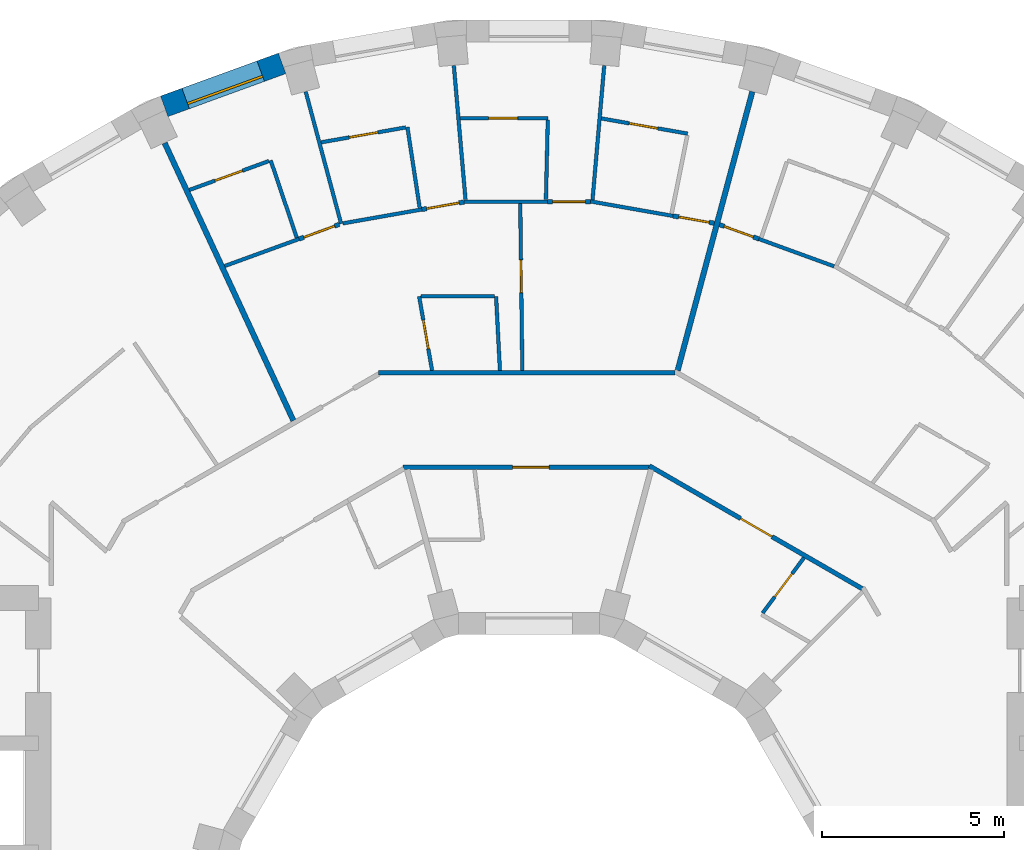
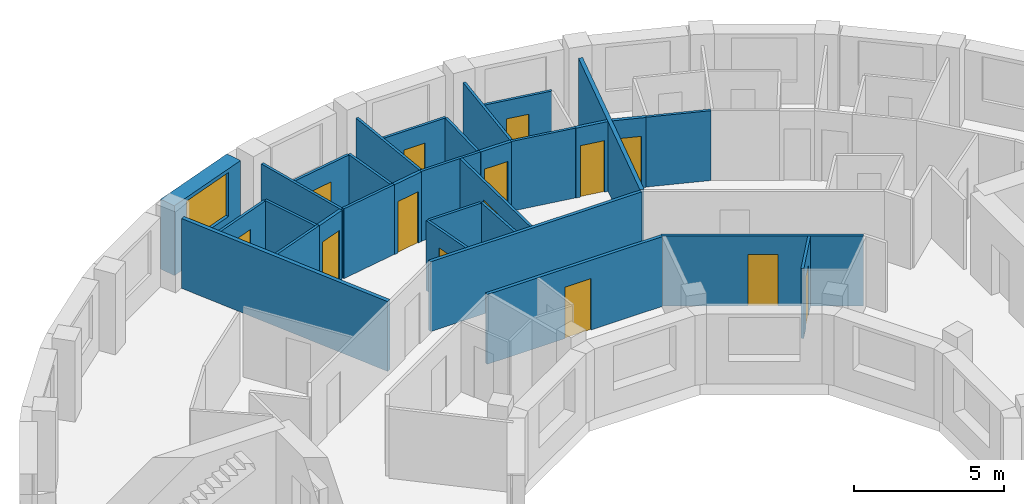
# One storey, part 11 of 14: 31 walls, 14 doors, 1 window, 15 openings.
"""IFC4 building model written with IfcOpenShell, lengths in metres."""

import ifcopenshell
import ifcopenshell.guid

model = None  # the IFC model being written
_history = None  # IfcOwnerHistory: only IFC2X3 demands one
_inside = {}  # id of a spatial element -> (the spatial element, [elements in it])
_under = {}  # id of a project, library or spatial element -> (it, [spatial elements below it])
_declared = {}  # id of a project -> (the project, [libraries it declares])
_typed = {}  # id of a type object -> (the type object, [elements of that type])
_made_of = {}  # id of a material, layer set ... -> (it, [elements and type objects made of it])


def new_model(schema):
    """Start an empty IFC model of exactly this schema.

    Asked for "IFC4X3", IfcOpenShell would pick the latest addendum, in which some entities
    have other attributes; the version numbers below select the first issue.
    IFC2X3 requires an IfcOwnerHistory on every rooted entity: one is made here for all.
    """
    global model, _history
    if schema == "IFC4X3":
        model = ifcopenshell.file(schema_version=(4, 3, 0, 0))
    else:
        model = ifcopenshell.file(schema=schema)
    _inside.clear()
    _under.clear()
    _declared.clear()
    _typed.clear()
    _made_of.clear()
    _history = None
    if model.schema == "IFC2X3":
        org = make("IfcOrganization", Name="unknown")
        user = make(
            "IfcPersonAndOrganization",
            ThePerson=make("IfcPerson", FamilyName="unknown"),
            TheOrganization=org,
        )
        app = make(
            "IfcApplication",
            ApplicationDeveloper=org,
            Version="unknown",
            ApplicationFullName="unknown",
            ApplicationIdentifier="unknown",
        )
        _history = make(
            "IfcOwnerHistory",
            OwningUser=user,
            OwningApplication=app,
            ChangeAction="ADDED",
            CreationDate=0,
        )
    return model


def make(cls, **values):
    """One entity of the class cls with the attributes given. An attribute that is None is left unset."""
    return model.create_entity(
        cls, **{name: value for name, value in values.items() if value is not None}
    )


def rooted(cls, **values):
    """An entity with a GlobalId (a new one), such as an element, a storey or a relation."""
    return make(cls, GlobalId=ifcopenshell.guid.new(), OwnerHistory=_history, **values)


def si_unit(unit_type, name, prefix=None):
    """IfcSIUnit, for example si_unit("LENGTHUNIT", "METRE", prefix="MILLI")."""
    return make("IfcSIUnit", UnitType=unit_type, Prefix=prefix, Name=name)


def assignment(units):
    """IfcUnitAssignment: the units of a project."""
    return None if units is None else make("IfcUnitAssignment", Units=units)


def point(xyz):
    """IfcCartesianPoint."""
    return None if xyz is None else make("IfcCartesianPoint", Coordinates=xyz)


def direction(xyz):
    """IfcDirection."""
    return None if xyz is None else make("IfcDirection", DirectionRatios=xyz)


def frame(location, z_axis=None, x_axis=None):
    """IfcAxis2Placement3D, a coordinate frame: its origin and axes. An axis left out is left unset."""
    return make(
        "IfcAxis2Placement3D",
        Location=point(location),
        Axis=direction(z_axis),
        RefDirection=direction(x_axis),
    )


def frame_2d(location, x_axis=None):
    """IfcAxis2Placement2D, a coordinate frame in the plane: its origin and x axis."""
    return make(
        "IfcAxis2Placement2D", Location=point(location), RefDirection=direction(x_axis)
    )


def origin():
    """The frame at (0, 0, 0) with its axes left unset."""
    return frame((0.0, 0.0, 0.0))


def place(relative_to, where):
    """IfcLocalPlacement: puts the frame where relative to a parent placement (None: the world)."""
    return make(
        "IfcLocalPlacement", PlacementRelTo=relative_to, RelativePlacement=where
    )


def context(
    kind, dimensions, precision=None, world=None, true_north=None, identifier=None
):
    """IfcGeometricRepresentationContext, for example the 3D "Model" context."""
    return make(
        "IfcGeometricRepresentationContext",
        ContextIdentifier=identifier,
        ContextType=kind,
        CoordinateSpaceDimension=dimensions,
        Precision=precision,
        WorldCoordinateSystem=world,
        TrueNorth=true_north,
    )


def subcontext(parent, identifier, kind, view, scale=None):
    """IfcGeometricRepresentationSubContext, for example "Body" below "Model"."""
    return make(
        "IfcGeometricRepresentationSubContext",
        ContextIdentifier=identifier,
        ContextType=kind,
        ParentContext=parent,
        TargetScale=scale,
        TargetView=view,
    )


def project(units=None, contexts=None):
    """IfcProject with its units and contexts."""
    return rooted(
        "IfcProject",
        Name="project",
        RepresentationContexts=contexts,
        UnitsInContext=assignment(units),
    )


def spatial(cls, under=None, at=None, **own):
    """A site, building, storey or space (cls), placed at a placement, below another one or the project."""
    s = rooted(cls, ObjectPlacement=at, **own)
    if under is not None:
        _under.setdefault(under.id(), (under, []))[1].append(s)
    return s


def profile(cls, at=None, kind="AREA", **sizes):
    """A parametric profile (cls). Its sizes go by their IFC names, for example OverallWidth=200.0."""
    return make(cls, ProfileType=kind, Position=at, **sizes)


def rectangle(**sizes):
    """IfcRectangleProfileDef."""
    return profile("IfcRectangleProfileDef", **sizes)


def extrude(swept, where, along, depth):
    """IfcExtrudedAreaSolid: the profile swept, set in the frame where, extruded along a direction by depth."""
    return make(
        "IfcExtrudedAreaSolid",
        SweptArea=swept,
        Position=where,
        ExtrudedDirection=direction(along),
        Depth=depth,
    )


def shape(context_of_items, identifier, shape_type, items):
    """IfcShapeRepresentation: the items that make up one representation, for example the "Body"."""
    return make(
        "IfcShapeRepresentation",
        ContextOfItems=context_of_items,
        RepresentationIdentifier=identifier,
        RepresentationType=shape_type,
        Items=items,
    )


def material(Name=None, Category=None):
    """IfcMaterial."""
    return make("IfcMaterial", Name=Name, Category=Category)


def layer(
    of_material, thickness, ventilated=None, Name=None, Category=None, Priority=None
):
    """IfcMaterialLayer: one layer of a wall or slab, of a material (None: an air gap)."""
    return make(
        "IfcMaterialLayer",
        Material=of_material,
        LayerThickness=thickness,
        IsVentilated=ventilated,
        Name=Name,
        Category=Category,
        Priority=Priority,
    )


def layer_set(layers, Name=None):
    """IfcMaterialLayerSet."""
    return make("IfcMaterialLayerSet", MaterialLayers=layers, LayerSetName=Name)


def made_of(thing, what):
    """Note that an element or type object is made of a material, layer set ...; save() writes the relation."""
    if what is not None:
        _made_of.setdefault(what.id(), (what, []))[1].append(thing)
    return thing


def type_object(cls, material=None, **own):
    """A type object (cls), such as IfcWallType, which elements share."""
    return made_of(rooted(cls, **own), material)


def element(
    cls,
    number,
    at=None,
    inside=None,
    cuts=None,
    type_object=None,
    material=None,
    context=None,
    identifier="Body",
    shape_type=None,
    held_by="IfcProductDefinitionShape",
    body=None,
    shapes=None,
    **own,
):
    """One element of the class cls, such as IfcWall. Its Tag is "e" and its number.

    at: its placement. inside: the storey or other place that contains it. cuts: it is an
    opening in that element (IfcRelVoidsElement). A single representation is given by context,
    identifier, shape_type and body (its items); several are given by shapes. held_by: the class
    of the entity that holds the representations. save() writes the other relations.
    """
    e = rooted(cls, Tag="e%d" % number, ObjectPlacement=at, **own)
    if body is not None:
        shapes = [shape(context, identifier, shape_type, body)]
    if shapes is not None:
        e.Representation = make(held_by, Representations=shapes)
    if inside is not None:
        _inside.setdefault(inside.id(), (inside, []))[1].append(e)
    if cuts is not None:
        rooted(
            "IfcRelVoidsElement", RelatingBuildingElement=cuts, RelatedOpeningElement=e
        )
    if type_object is not None:
        _typed.setdefault(type_object.id(), (type_object, []))[1].append(e)
    return made_of(e, material)


def fill(opening, filler):
    """IfcRelFillsElement: the door or window that sits in an opening."""
    return rooted(
        "IfcRelFillsElement",
        RelatingOpeningElement=opening,
        RelatedBuildingElement=filler,
    )


def aggregate(whole, parts):
    """IfcRelAggregates: a whole, such as a stair, and the parts it consists of."""
    return rooted("IfcRelAggregates", RelatingObject=whole, RelatedObjects=parts)


def save(model, path):
    """Write the relations noted so far, then the file.

    IfcRelAggregates (storeys below a building ...), IfcRelContainedInSpatialStructure (elements
    in a storey), IfcRelDefinesByType, IfcRelAssociatesMaterial and IfcRelDeclares: one each for
    every whole, place, type object, material and project.
    """
    for whole, parts in _under.values():
        aggregate(whole, parts)
    for where, things in _inside.values():
        rooted(
            "IfcRelContainedInSpatialStructure",
            RelatedElements=things,
            RelatingStructure=where,
        )
    for kind, things in _typed.values():
        rooted("IfcRelDefinesByType", RelatedObjects=things, RelatingType=kind)
    for what, things in _made_of.values():
        rooted("IfcRelAssociatesMaterial", RelatedObjects=things, RelatingMaterial=what)
    for by, libraries in _declared.values():
        rooted("IfcRelDeclares", RelatingContext=by, RelatedDefinitions=libraries)
    model.write(path)


model = new_model("IFC4")

# Units and contexts
model_context = context("Model", 3, precision=1e-05, world=origin(), true_north=direction((0.0, 1.0)))
body_context = subcontext(model_context, "Body", "Model", "MODEL_VIEW")
ifc_project = project(units=[si_unit("LENGTHUNIT", "METRE"), si_unit("AREAUNIT", "SQUARE_METRE"), si_unit("VOLUMEUNIT", "CUBIC_METRE"), si_unit("PLANEANGLEUNIT", "RADIAN"), si_unit("MASSUNIT", "GRAM", prefix="KILO")], contexts=[model_context])

# Site, building, storey
site_placement = place(None, origin())
site = spatial("IfcSite", under=ifc_project, at=site_placement, CompositionType="ELEMENT")
building_placement = place(site_placement, origin())
building = spatial("IfcBuilding", under=site, at=building_placement, Name="Saqina Gate Tower", CompositionType="ELEMENT")
storey_placement = place(building_placement, frame((0.0, 0.0, 174.0)))
storey = spatial("IfcBuildingStorey", under=building, at=storey_placement, Name="L49", CompositionType="ELEMENT", Elevation=174.0)

# Wall, opening, window
ifc_material_1 = material(Name="Brick masonry (buff)", Category="masonry")
ifc_layer_1 = layer(ifc_material_1, 0.60009765625)
ifc_layer_set_1 = layer_set([ifc_layer_1], Name="FW-BRICK-BUFF")
wall_type_1 = type_object("IfcWallType", Name="FW-BRICK-BUFF", PredefinedType="SOLIDWALL", material=ifc_layer_set_1)
wall_1_placement = place(storey_placement, frame((-6.79443359375, 23.7109375, 0.0), z_axis=(0.0, 0.0, 1.0), x_axis=(-0.93968799822, -0.342032843455, 0.0)))
wall_1 = element("IfcWall", 1, at=wall_1_placement, inside=storey, type_object=wall_type_1, Name="Facade wall L49 facet 11", PredefinedType="SOLIDWALL", context=body_context, shape_type="SweptSolid", body=[
    extrude(rectangle(XDim=3.44970703125, YDim=0.60009765625, at=frame_2d((1.724853515625, 0.0))), origin(), (0.0, 0.0, 1.0), 2.85009765625),
])
opening_1_placement = place(wall_1_placement, frame((0.625, 0.0, 0.89990234375)))
opening_1 = element("IfcOpeningElement", 2, at=opening_1_placement, cuts=wall_1, Name="Opening G14-W09", PredefinedType="OPENING", context=body_context, shape_type="SweptSolid", body=[
    extrude(rectangle(XDim=2.199951171875, YDim=1.800048828125, at=frame_2d((1.10009765625, 0.89990234375))), frame((0.0, 0.31201171875, 0.0), z_axis=(0.0, -1.0, 0.0), x_axis=(1.0, 0.0, 0.0)), (0.0, 0.0, 1.0), 0.6240234375),
])
ifc_material_2 = material(Name="Aluminium glazing", Category="aluminium")
window_type = type_object("IfcWindowType", Name="WN-C", PartitioningType="SINGLE_PANEL", PredefinedType="WINDOW", material=ifc_material_2)
window_placement = place(opening_1_placement, origin())
window = element("IfcWindow", 3, at=window_placement, inside=storey, type_object=window_type, Name="Window L49 facet 11", OverallHeight=1.800048828125, OverallWidth=2.199951171875, PartitioningType="SINGLE_PANEL", PredefinedType="WINDOW", context=body_context, shape_type="SweptSolid", body=[
    extrude(rectangle(XDim=2.199951171875, YDim=1.800048828125, at=frame_2d((1.10009765625, 0.89990234375))), frame((0.0, 0.179931640625, 0.0), z_axis=(0.0, -1.0, 0.0), x_axis=(1.0, 0.0, 0.0)), (0.0, 0.0, 1.0), 0.06005859375),
])
fill(opening_1, window)

# Wall, opening, door
ifc_material_3 = material(Name="Gypsum board on steel studs, 100 mm", Category="steel")
ifc_layer_2 = layer(ifc_material_3, 0.10009765625)
ifc_layer_set_2 = layer_set([ifc_layer_2], Name="PARTITION 100")
wall_type_2 = type_object("IfcWallType", Name="PARTITION 100", PredefinedType="PARTITIONING", material=ifc_layer_set_2)
wall_2_placement = place(storey_placement, frame((-0.241455078125, 19.85498046875, 0.0), z_axis=(0.0, 0.0, 1.0), x_axis=(0.012332271409, -0.999923954649, 0.0)))
wall_2 = element("IfcWall", 4, at=wall_2_placement, inside=storey, type_object=wall_type_2, Name="PARTITION PW3-01", PredefinedType="PARTITIONING", context=body_context, shape_type="SweptSolid", body=[
    extrude(rectangle(XDim=4.5927734375, YDim=0.10009765625, at=frame_2d((2.29638671875, 0.0))), origin(), (0.0, 0.0, 1.0), 2.85009765625),
])
opening_2_placement = place(wall_2_placement, frame((1.552734375, 0.0, 0.0)))
opening_2 = element("IfcOpeningElement", 5, at=opening_2_placement, cuts=wall_2, Name="Opening G14-D18", PredefinedType="OPENING", context=body_context, shape_type="SweptSolid", body=[
    extrude(rectangle(XDim=0.89990234375, YDim=2.10009765625, at=frame_2d((0.449951171875, 1.050048828125))), frame((0.0, 0.06201171875, 0.0), z_axis=(0.0, -1.0, 0.0), x_axis=(1.0, 0.0, 0.0)), (0.0, 0.0, 1.0), 0.1240234375),
])
ifc_material_4 = material(Name="Timber door leaf, 900 mm", Category="wood")
door_type_1 = type_object("IfcDoorType", Name="DOOR 900 TIMBER", OperationType="SINGLE_SWING_LEFT", PredefinedType="DOOR", material=ifc_material_4)
door_1_placement = place(opening_2_placement, frame((0.89990234375, 0.0, 0.0), z_axis=(0.0, 0.0, 1.0), x_axis=(-1.0, 0.0, 0.0)))
door_1 = element("IfcDoor", 6, at=door_1_placement, inside=storey, type_object=door_type_1, Name="DOOR G14-D18", OperationType="SINGLE_SWING_LEFT", OverallHeight=2.10009765625, OverallWidth=0.89990234375, PredefinedType="DOOR", context=body_context, shape_type="SweptSolid", body=[
    extrude(rectangle(XDim=0.89990234375, YDim=2.10009765625, at=frame_2d((0.449951171875, 1.050048828125))), frame((0.0, 0.02490234375, 0.0), z_axis=(0.0, -1.0, 0.0), x_axis=(1.0, 0.0, 0.0)), (0.0, 0.0, 1.0), 0.050048828125),
])
fill(opening_2, door_1)

# Walls
wall_3_placement = place(storey_placement, frame((-0.906982421875, 17.300048828125, 0.0), z_axis=(0.0, 0.0, 1.0), x_axis=(0.052288783436, -0.998632005859, 0.0)))
element("IfcWall", 7, at=wall_3_placement, inside=storey, type_object=wall_type_2, Name="PARTITION PW3-03", PredefinedType="PARTITIONING", context=body_context, shape_type="SweptSolid", body=[
    extrude(rectangle(XDim=2.040283203125, YDim=0.10009765625, at=frame_2d((1.02001953125, 0.0))), origin(), (0.0, 0.0, 1.0), 2.85009765625),
])
wall_4_placement = place(storey_placement, frame((-2.06884765625, 23.649658203125, 0.0), z_axis=(0.0, 0.0, 1.0), x_axis=(0.086783514493, -0.996227193773, 0.0)))
element("IfcWall", 8, at=wall_4_placement, inside=storey, type_object=wall_type_2, Name="PARTITION PW3-04", PredefinedType="PARTITIONING", context=body_context, shape_type="SweptSolid", body=[
    extrude(rectangle(XDim=3.696533203125, YDim=0.10009765625, at=frame_2d((1.84814453125, 0.0))), origin(), (0.0, 0.0, 1.0), 2.85009765625),
])
wall_5_placement = place(storey_placement, frame((-3.346923828125, 21.95703125, 0.0), z_axis=(0.0, 0.0, 1.0), x_axis=(0.150778111259, -0.988567631053, 0.0)))
element("IfcWall", 9, at=wall_5_placement, inside=storey, type_object=wall_type_2, Name="PARTITION PW3-08", PredefinedType="PARTITIONING", context=body_context, shape_type="SweptSolid", body=[
    extrude(rectangle(XDim=2.23779296875, YDim=0.10009765625, at=frame_2d((1.118896484375, 0.0))), origin(), (0.0, 0.0, 1.0), 2.85009765625),
])

# Wall, opening, door
wall_6_placement = place(storey_placement, frame((-3.02392578125, 17.300048828125, 0.0), z_axis=(0.0, 0.0, 1.0), x_axis=(0.172122773882, -0.985075505081, 0.0)))
wall_6 = element("IfcWall", 10, at=wall_6_placement, inside=storey, type_object=wall_type_2, Name="PARTITION PW3-10", PredefinedType="PARTITIONING", context=body_context, shape_type="SweptSolid", body=[
    extrude(rectangle(XDim=2.069580078125, YDim=0.10009765625, at=frame_2d((1.03466796875, 0.0))), origin(), (0.0, 0.0, 1.0), 2.85009765625),
])
opening_3_placement = place(wall_6_placement, frame((0.666015625, 0.0, 0.0)))
opening_3 = element("IfcOpeningElement", 11, at=opening_3_placement, cuts=wall_6, Name="Opening G14-D22", PredefinedType="OPENING", context=body_context, shape_type="SweptSolid", body=[
    extrude(rectangle(XDim=0.800048828125, YDim=2.10009765625, at=frame_2d((0.39990234375, 1.050048828125))), frame((0.0, 0.06201171875, 0.0), z_axis=(0.0, -1.0, 0.0), x_axis=(1.0, 0.0, 0.0)), (0.0, 0.0, 1.0), 0.1240234375),
])
ifc_material_5 = material(Name="Timber door leaf, 800 mm", Category="wood")
door_type_2 = type_object("IfcDoorType", Name="DOOR 800 TIMBER", OperationType="SINGLE_SWING_LEFT", PredefinedType="DOOR", material=ifc_material_5)
door_2_placement = place(opening_3_placement, frame((0.800048828125, 0.0, 0.0), z_axis=(0.0, 0.0, 1.0), x_axis=(-1.0, 0.0, 0.0)))
door_2 = element("IfcDoor", 12, at=door_2_placement, inside=storey, type_object=door_type_2, Name="DOOR G14-D22", OperationType="SINGLE_SWING_LEFT", OverallHeight=2.10009765625, OverallWidth=0.800048828125, PredefinedType="DOOR", context=body_context, shape_type="SweptSolid", body=[
    extrude(rectangle(XDim=0.800048828125, YDim=2.10009765625, at=frame_2d((0.39990234375, 1.050048828125))), frame((0.0, 0.02490234375, 0.0), z_axis=(0.0, -1.0, 0.0), x_axis=(1.0, 0.0, 0.0)), (0.0, 0.0, 1.0), 0.050048828125),
])
fill(opening_3, door_2)

# Walls
wall_7_placement = place(storey_placement, frame((-6.144775390625, 22.930908203125, 0.0), z_axis=(0.0, 0.0, 1.0), x_axis=(0.259065026248, -0.965859882268, 0.0)))
element("IfcWall", 13, at=wall_7_placement, inside=storey, type_object=wall_type_2, Name="PARTITION PW3-13", PredefinedType="PARTITIONING", context=body_context, shape_type="SweptSolid", body=[
    extrude(rectangle(XDim=3.75927734375, YDim=0.10009765625, at=frame_2d((1.879638671875, 0.0))), origin(), (0.0, 0.0, 1.0), 2.85009765625),
])
wall_8_placement = place(storey_placement, frame((-7.10888671875, 21.0419921875, 0.0), z_axis=(0.0, 0.0, 1.0), x_axis=(0.320001473527, -0.947417044886, 0.0)))
element("IfcWall", 14, at=wall_8_placement, inside=storey, type_object=wall_type_2, Name="PARTITION PW3-15", PredefinedType="PARTITIONING", context=body_context, shape_type="SweptSolid", body=[
    extrude(rectangle(XDim=2.25, YDim=0.10009765625, at=frame_2d((1.125, 0.0))), origin(), (0.0, 0.0, 1.0), 2.85009765625),
])
wall_9_placement = place(storey_placement, frame((6.325927734375, 18.879638671875, 0.0), z_axis=(0.0, 0.0, 1.0), x_axis=(0.939712538812, -0.341965414041, 0.0)))
element("IfcWall", 15, at=wall_9_placement, inside=storey, type_object=wall_type_2, Name="PARTITION PW3-44", PredefinedType="PARTITIONING", context=body_context, shape_type="SweptSolid", body=[
    extrude(rectangle(XDim=2.203857421875, YDim=0.10009765625, at=frame_2d((1.10205078125, 0.0))), origin(), (0.0, 0.0, 1.0), 2.85009765625),
])
wall_10_placement = place(storey_placement, frame((1.69091796875, 19.913818359375, 0.0), z_axis=(0.0, 0.0, 1.0), x_axis=(0.984801677979, -0.173682627367, 0.0)))
element("IfcWall", 16, at=wall_10_placement, inside=storey, type_object=wall_type_2, Name="PARTITION PW3-48", PredefinedType="PARTITIONING", context=body_context, shape_type="SweptSolid", body=[
    extrude(rectangle(XDim=2.305419921875, YDim=0.10009765625, at=frame_2d((1.15283203125, 0.0))), origin(), (0.0, 0.0, 1.0), 2.85009765625),
])

# Wall, opening, door
wall_11_placement = place(storey_placement, frame((1.9921875, 22.1962890625, 0.0), z_axis=(0.0, 0.0, 1.0), x_axis=(0.984820260231, -0.173577230762, 0.0)))
wall_11 = element("IfcWall", 17, at=wall_11_placement, inside=storey, type_object=wall_type_2, Name="PARTITION PW3-49", PredefinedType="PARTITIONING", context=body_context, shape_type="SweptSolid", body=[
    extrude(rectangle(XDim=2.409423828125, YDim=0.10009765625, at=frame_2d((1.20458984375, 0.0))), origin(), (0.0, 0.0, 1.0), 2.85009765625),
])
opening_4_placement = place(wall_11_placement, frame((0.77978515625, 0.0, 0.0)))
opening_4 = element("IfcOpeningElement", 18, at=opening_4_placement, cuts=wall_11, Name="Opening G14-D15", PredefinedType="OPENING", context=body_context, shape_type="SweptSolid", body=[
    extrude(rectangle(XDim=0.800048828125, YDim=2.10009765625, at=frame_2d((0.39990234375, 1.050048828125))), frame((0.0, 0.06201171875, 0.0), z_axis=(0.0, -1.0, 0.0), x_axis=(1.0, 0.0, 0.0)), (0.0, 0.0, 1.0), 0.1240234375),
])
door_3_placement = place(opening_4_placement, origin())
door_3 = element("IfcDoor", 19, at=door_3_placement, inside=storey, type_object=door_type_2, Name="DOOR G14-D15", OperationType="SINGLE_SWING_LEFT", OverallHeight=2.10009765625, OverallWidth=0.800048828125, PredefinedType="DOOR", context=body_context, shape_type="SweptSolid", body=[
    extrude(rectangle(XDim=0.800048828125, YDim=2.10009765625, at=frame_2d((0.39990234375, 1.050048828125))), frame((0.0, 0.02490234375, 0.0), z_axis=(0.0, -1.0, 0.0), x_axis=(1.0, 0.0, 0.0)), (0.0, 0.0, 1.0), 0.050048828125),
])
fill(opening_4, door_3)

# Walls
wall_12_placement = place(storey_placement, frame((-2.97412109375, 17.300048828125, 0.0), z_axis=(0.0, 0.0, 1.0), x_axis=(1.0, 0.0, 0.0)))
element("IfcWall", 20, at=wall_12_placement, inside=storey, type_object=wall_type_2, Name="PARTITION PW3-55", PredefinedType="PARTITIONING", context=body_context, shape_type="SweptSolid", body=[
    extrude(rectangle(XDim=2.01708984375, YDim=0.10009765625, at=frame_2d((1.008544921875, 0.0))), origin(), (0.0, 0.0, 1.0), 2.85009765625),
])
wall_13_placement = place(storey_placement, frame((-1.791748046875, 19.905029296875, 0.0), z_axis=(0.0, 0.0, 1.0), x_axis=(1.0, 0.0, 0.0)))
element("IfcWall", 21, at=wall_13_placement, inside=storey, type_object=wall_type_2, Name="PARTITION PW3-56", PredefinedType="PARTITIONING", context=body_context, shape_type="SweptSolid", body=[
    extrude(rectangle(XDim=2.3046875, YDim=0.10009765625, at=frame_2d((1.15234375, 0.0))), origin(), (0.0, 0.0, 1.0), 2.85009765625),
])

# Wall, opening, door
wall_14_placement = place(storey_placement, frame((-1.89306640625, 22.205078125, 0.0), z_axis=(0.0, 0.0, 1.0), x_axis=(1.0, 0.0, 0.0)))
wall_14 = element("IfcWall", 22, at=wall_14_placement, inside=storey, type_object=wall_type_2, Name="PARTITION PW3-57", PredefinedType="PARTITIONING", context=body_context, shape_type="SweptSolid", body=[
    extrude(rectangle(XDim=2.41015625, YDim=0.10009765625, at=frame_2d((1.205078125, 0.0))), origin(), (0.0, 0.0, 1.0), 2.85009765625),
])
opening_5_placement = place(wall_14_placement, frame((0.780029296875, 0.0, 0.0)))
opening_5 = element("IfcOpeningElement", 23, at=opening_5_placement, cuts=wall_14, Name="Opening G14-D19", PredefinedType="OPENING", context=body_context, shape_type="SweptSolid", body=[
    extrude(rectangle(XDim=0.800048828125, YDim=2.10009765625, at=frame_2d((0.39990234375, 1.050048828125))), frame((0.0, 0.06201171875, 0.0), z_axis=(0.0, -1.0, 0.0), x_axis=(1.0, 0.0, 0.0)), (0.0, 0.0, 1.0), 0.1240234375),
])
door_4_placement = place(opening_5_placement, origin())
door_4 = element("IfcDoor", 24, at=door_4_placement, inside=storey, type_object=door_type_2, Name="DOOR G14-D19", OperationType="SINGLE_SWING_LEFT", OverallHeight=2.10009765625, OverallWidth=0.800048828125, PredefinedType="DOOR", context=body_context, shape_type="SweptSolid", body=[
    extrude(rectangle(XDim=0.800048828125, YDim=2.10009765625, at=frame_2d((0.39990234375, 1.050048828125))), frame((0.0, 0.02490234375, 0.0), z_axis=(0.0, -1.0, 0.0), x_axis=(1.0, 0.0, 0.0)), (0.0, 0.0, 1.0), 0.050048828125),
])
fill(opening_5, door_4)

# Wall
wall_15_placement = place(storey_placement, frame((-5.121826171875, 19.30859375, 0.0), z_axis=(0.0, 0.0, 1.0), x_axis=(0.984790246942, 0.173747430277, 0.0)))
element("IfcWall", 25, at=wall_15_placement, inside=storey, type_object=wall_type_2, Name="PARTITION PW3-60", PredefinedType="PARTITIONING", context=body_context, shape_type="SweptSolid", body=[
    extrude(rectangle(XDim=2.20458984375, YDim=0.10009765625, at=frame_2d((1.102294921875, 0.0))), origin(), (0.0, 0.0, 1.0), 2.85009765625),
])

# Wall, opening, door
wall_16_placement = place(storey_placement, frame((-5.7197265625, 21.53857421875, 0.0), z_axis=(0.0, 0.0, 1.0), x_axis=(0.984809591131, 0.173637752855, 0.0)))
wall_16 = element("IfcWall", 26, at=wall_16_placement, inside=storey, type_object=wall_type_2, Name="PARTITION PW3-61", PredefinedType="PARTITIONING", context=body_context, shape_type="SweptSolid", body=[
    extrude(rectangle(XDim=2.359375, YDim=0.10009765625, at=frame_2d((1.1796875, 0.0))), origin(), (0.0, 0.0, 1.0), 2.85009765625),
])
opening_6_placement = place(wall_16_placement, frame((0.77978515625, 0.0, 0.0)))
opening_6 = element("IfcOpeningElement", 27, at=opening_6_placement, cuts=wall_16, Name="Opening G14-D23", PredefinedType="OPENING", context=body_context, shape_type="SweptSolid", body=[
    extrude(rectangle(XDim=0.800048828125, YDim=2.10009765625, at=frame_2d((0.39990234375, 1.050048828125))), frame((0.0, 0.06201171875, 0.0), z_axis=(0.0, -1.0, 0.0), x_axis=(1.0, 0.0, 0.0)), (0.0, 0.0, 1.0), 0.1240234375),
])
door_5_placement = place(opening_6_placement, origin())
door_5 = element("IfcDoor", 28, at=door_5_placement, inside=storey, type_object=door_type_2, Name="DOOR G14-D23", OperationType="SINGLE_SWING_RIGHT", OverallHeight=2.10009765625, OverallWidth=0.800048828125, PredefinedType="DOOR", context=body_context, shape_type="SweptSolid", body=[
    extrude(rectangle(XDim=0.800048828125, YDim=2.10009765625, at=frame_2d((0.39990234375, 1.050048828125))), frame((0.0, 0.02490234375, 0.0), z_axis=(0.0, -1.0, 0.0), x_axis=(1.0, 0.0, 0.0)), (0.0, 0.0, 1.0), 0.050048828125),
])
fill(opening_6, door_5)

# Wall
wall_17_placement = place(storey_placement, frame((-8.37353515625, 18.134765625, 0.0), z_axis=(0.0, 0.0, 1.0), x_axis=(0.939750886848, 0.341860016189, 0.0)))
element("IfcWall", 29, at=wall_17_placement, inside=storey, type_object=wall_type_2, Name="PARTITION PW3-64", PredefinedType="PARTITIONING", context=body_context, shape_type="SweptSolid", body=[
    extrude(rectangle(XDim=2.178955078125, YDim=0.10009765625, at=frame_2d((1.08935546875, 0.0))), origin(), (0.0, 0.0, 1.0), 2.85009765625),
])

# Wall, opening, door
wall_18_placement = place(storey_placement, frame((-9.349609375, 20.2265625, 0.0), z_axis=(0.0, 0.0, 1.0), x_axis=(0.939701781882, 0.341994972371, 0.0)))
wall_18 = element("IfcWall", 30, at=wall_18_placement, inside=storey, type_object=wall_type_2, Name="PARTITION PW3-65", PredefinedType="PARTITIONING", context=body_context, shape_type="SweptSolid", body=[
    extrude(rectangle(XDim=2.33447265625, YDim=0.10009765625, at=frame_2d((1.167236328125, 0.0))), origin(), (0.0, 0.0, 1.0), 2.85009765625),
])
opening_7_placement = place(wall_18_placement, frame((0.754638671875, 0.0, 0.0)))
opening_7 = element("IfcOpeningElement", 31, at=opening_7_placement, cuts=wall_18, Name="Opening G14-D26", PredefinedType="OPENING", context=body_context, shape_type="SweptSolid", body=[
    extrude(rectangle(XDim=0.800048828125, YDim=2.10009765625, at=frame_2d((0.39990234375, 1.050048828125))), frame((0.0, 0.06201171875, 0.0), z_axis=(0.0, -1.0, 0.0), x_axis=(1.0, 0.0, 0.0)), (0.0, 0.0, 1.0), 0.1240234375),
])
door_6_placement = place(opening_7_placement, origin())
door_6 = element("IfcDoor", 32, at=door_6_placement, inside=storey, type_object=door_type_2, Name="DOOR G14-D26", OperationType="SINGLE_SWING_LEFT", OverallHeight=2.10009765625, OverallWidth=0.800048828125, PredefinedType="DOOR", context=body_context, shape_type="SweptSolid", body=[
    extrude(rectangle(XDim=0.800048828125, YDim=2.10009765625, at=frame_2d((0.39990234375, 1.050048828125))), frame((0.0, 0.02490234375, 0.0), z_axis=(0.0, -1.0, 0.0), x_axis=(1.0, 0.0, 0.0)), (0.0, 0.0, 1.0), 0.050048828125),
])
fill(opening_7, door_6)

wall_19_placement = place(storey_placement, frame((6.427001953125, 8.5859375, 0.0), z_axis=(0.0, 0.0, 1.0), x_axis=(0.599137140235, 0.800646418334, 0.0)))
wall_19 = element("IfcWall", 33, at=wall_19_placement, inside=storey, type_object=wall_type_2, Name="PARTITION PW3-87", PredefinedType="PARTITIONING", context=body_context, shape_type="SweptSolid", body=[
    extrude(rectangle(XDim=1.902099609375, YDim=0.10009765625, at=frame_2d((0.951171875, 0.0))), origin(), (0.0, 0.0, 1.0), 2.85009765625),
])
opening_8_placement = place(wall_19_placement, frame((0.557373046875, 0.0, 0.0)))
opening_8 = element("IfcOpeningElement", 34, at=opening_8_placement, cuts=wall_19, Name="Opening G14-D06", PredefinedType="OPENING", context=body_context, shape_type="SweptSolid", body=[
    extrude(rectangle(XDim=0.800048828125, YDim=2.10009765625, at=frame_2d((0.39990234375, 1.050048828125))), frame((0.0, 0.06201171875, 0.0), z_axis=(0.0, -1.0, 0.0), x_axis=(1.0, 0.0, 0.0)), (0.0, 0.0, 1.0), 0.1240234375),
])
door_7_placement = place(opening_8_placement, origin())
door_7 = element("IfcDoor", 35, at=door_7_placement, inside=storey, type_object=door_type_2, Name="DOOR G14-D06", OperationType="SINGLE_SWING_RIGHT", OverallHeight=2.10009765625, OverallWidth=0.800048828125, PredefinedType="DOOR", context=body_context, shape_type="SweptSolid", body=[
    extrude(rectangle(XDim=0.800048828125, YDim=2.10009765625, at=frame_2d((0.39990234375, 1.050048828125))), frame((0.0, 0.02490234375, 0.0), z_axis=(0.0, -1.0, 0.0), x_axis=(1.0, 0.0, 0.0)), (0.0, 0.0, 1.0), 0.050048828125),
])
fill(opening_8, door_7)

# Walls
wall_20_placement = place(storey_placement, frame((1.746826171875, 19.95458984375, 0.0), z_axis=(0.0, 0.0, 1.0), x_axis=(0.086819919703, 0.996224021766, 0.0)))
element("IfcWall", 36, at=wall_20_placement, inside=storey, type_object=wall_type_2, Name="PARTITION PW3-102", PredefinedType="PARTITIONING", context=body_context, shape_type="SweptSolid", body=[
    extrude(rectangle(XDim=3.708984375, YDim=0.10009765625, at=frame_2d((1.8544921875, 0.0))), origin(), (0.0, 0.0, 1.0), 2.85009765625),
])
wall_21_placement = place(storey_placement, frame((0.46435546875, 19.967529296875, 0.0), z_axis=(0.0, 0.0, 1.0), x_axis=(0.023542580156, 0.99972283505, 0.0)))
element("IfcWall", 37, at=wall_21_placement, inside=storey, type_object=wall_type_2, Name="PARTITION PW3-103", PredefinedType="PARTITIONING", context=body_context, shape_type="SweptSolid", body=[
    extrude(rectangle(XDim=2.18798828125, YDim=0.10009765625, at=frame_2d((1.093994140625, 0.0))), origin(), (0.0, 0.0, 1.0), 2.85009765625),
])

# Wall, opening, door
ifc_material_6 = material(Name="Gypsum board on steel studs, 125 mm, fire rated", Category="steel")
ifc_layer_3 = layer(ifc_material_6, 0.125)
ifc_layer_set_3 = layer_set([ifc_layer_3], Name="PARTITION EI 30 125")
wall_type_3 = type_object("IfcWallType", Name="PARTITION EI 30 125", PredefinedType="PARTITIONING", material=ifc_layer_set_3)
wall_22_placement = place(storey_placement, frame((3.3134765625, 12.635986328125, 0.0), z_axis=(0.0, 0.0, 1.0), x_axis=(0.866048512801, -0.499959971872, 0.0)))
wall_22 = element("IfcWall", 38, at=wall_22_placement, inside=storey, type_object=wall_type_3, Name="PARTITION PW1-19", PredefinedType="PARTITIONING", context=body_context, shape_type="SweptSolid", body=[
    extrude(rectangle(XDim=6.76220703125, YDim=0.125, at=frame_2d((3.381103515625, 0.0))), origin(), (0.0, 0.0, 1.0), 2.85009765625),
])
opening_9_placement = place(wall_22_placement, frame((2.897705078125, 0.0, 0.0)))
opening_9 = element("IfcOpeningElement", 39, at=opening_9_placement, cuts=wall_22, Name="Opening G14-D09", PredefinedType="OPENING", context=body_context, shape_type="SweptSolid", body=[
    extrude(rectangle(XDim=1.0, YDim=2.10009765625, at=frame_2d((0.5, 1.050048828125))), frame((0.0, 0.074462890625, 0.0), z_axis=(0.0, -1.0, 0.0), x_axis=(1.0, 0.0, 0.0)), (0.0, 0.0, 1.0), 0.14892578125),
])
ifc_material_7 = material(Name="Fire door leaf EI 30, 1000 mm")
door_type_3 = type_object("IfcDoorType", Name="DOOR 1000 EI 30", OperationType="SINGLE_SWING_LEFT", PredefinedType="DOOR", material=ifc_material_7)
door_8_placement = place(opening_9_placement, frame((1.0, 0.0, 0.0), z_axis=(0.0, 0.0, 1.0), x_axis=(-1.0, 0.0, 0.0)))
door_8 = element("IfcDoor", 40, at=door_8_placement, inside=storey, type_object=door_type_3, Name="DOOR G14-D09", OperationType="SINGLE_SWING_LEFT", OverallHeight=2.10009765625, OverallWidth=1.0, PredefinedType="DOOR", context=body_context, shape_type="SweptSolid", body=[
    extrude(rectangle(XDim=1.0, YDim=2.10009765625, at=frame_2d((0.5, 1.050048828125))), frame((0.0, 0.02490234375, 0.0), z_axis=(0.0, -1.0, 0.0), x_axis=(1.0, 0.0, 0.0)), (0.0, 0.0, 1.0), 0.050048828125),
])
fill(opening_9, door_8)

wall_23_placement = place(storey_placement, frame((5.241455078125, 19.2744140625, 0.0), z_axis=(0.0, 0.0, 1.0), x_axis=(0.939651255639, -0.342133771756, 0.0)))
wall_23 = element("IfcWall", 41, at=wall_23_placement, inside=storey, type_object=wall_type_3, Name="PARTITION PW1-23", PredefinedType="PARTITIONING", context=body_context, shape_type="SweptSolid", body=[
    extrude(rectangle(XDim=1.15380859375, YDim=0.125, at=frame_2d((0.576904296875, 0.0))), origin(), (0.0, 0.0, 1.0), 2.85009765625),
])
opening_10_placement = place(wall_23_placement, frame((0.139404296875, 0.0, 0.0)))
opening_10 = element("IfcOpeningElement", 42, at=opening_10_placement, cuts=wall_23, Name="Opening G14-D13", PredefinedType="OPENING", context=body_context, shape_type="SweptSolid", body=[
    extrude(rectangle(XDim=0.85009765625, YDim=2.10009765625, at=frame_2d((0.425048828125, 1.050048828125))), frame((0.0, 0.074462890625, 0.0), z_axis=(0.0, -1.0, 0.0), x_axis=(1.0, 0.0, 0.0)), (0.0, 0.0, 1.0), 0.14892578125),
])
ifc_material_8 = material(Name="Fire door leaf EI 30, 850 mm")
door_type_4 = type_object("IfcDoorType", Name="DOOR 850 EI 30", OperationType="SINGLE_SWING_LEFT", PredefinedType="DOOR", material=ifc_material_8)
door_9_placement = place(opening_10_placement, frame((0.85009765625, 0.0, 0.0), z_axis=(0.0, 0.0, 1.0), x_axis=(-1.0, 0.0, 0.0)))
door_9 = element("IfcDoor", 43, at=door_9_placement, inside=storey, type_object=door_type_4, Name="DOOR G14-D13", OperationType="SINGLE_SWING_RIGHT", OverallHeight=2.10009765625, OverallWidth=0.85009765625, PredefinedType="DOOR", context=body_context, shape_type="SweptSolid", body=[
    extrude(rectangle(XDim=0.85009765625, YDim=2.10009765625, at=frame_2d((0.425048828125, 1.050048828125))), frame((0.0, 0.02490234375, 0.0), z_axis=(0.0, -1.0, 0.0), x_axis=(1.0, 0.0, 0.0)), (0.0, 0.0, 1.0), 0.050048828125),
])
fill(opening_10, door_9)

wall_24_placement = place(storey_placement, frame((3.961181640625, 19.513427734375, 0.0), z_axis=(0.0, 0.0, 1.0), x_axis=(0.984787819846, -0.173761186352, 0.0)))
wall_24 = element("IfcWall", 44, at=wall_24_placement, inside=storey, type_object=wall_type_3, Name="PARTITION PW1-25", PredefinedType="PARTITIONING", context=body_context, shape_type="SweptSolid", body=[
    extrude(rectangle(XDim=1.153564453125, YDim=0.125, at=frame_2d((0.57666015625, 0.0))), origin(), (0.0, 0.0, 1.0), 2.85009765625),
])
opening_11_placement = place(wall_24_placement, frame((0.164306640625, 0.0, 0.0)))
opening_11 = element("IfcOpeningElement", 45, at=opening_11_placement, cuts=wall_24, Name="Opening G14-D14", PredefinedType="OPENING", context=body_context, shape_type="SweptSolid", body=[
    extrude(rectangle(XDim=0.85009765625, YDim=2.10009765625, at=frame_2d((0.425048828125, 1.050048828125))), frame((0.0, 0.074462890625, 0.0), z_axis=(0.0, -1.0, 0.0), x_axis=(1.0, 0.0, 0.0)), (0.0, 0.0, 1.0), 0.14892578125),
])
door_10_placement = place(opening_11_placement, frame((0.85009765625, 0.0, 0.0), z_axis=(0.0, 0.0, 1.0), x_axis=(-1.0, 0.0, 0.0)))
door_10 = element("IfcDoor", 46, at=door_10_placement, inside=storey, type_object=door_type_4, Name="DOOR G14-D14", OperationType="SINGLE_SWING_LEFT", OverallHeight=2.10009765625, OverallWidth=0.85009765625, PredefinedType="DOOR", context=body_context, shape_type="SweptSolid", body=[
    extrude(rectangle(XDim=0.85009765625, YDim=2.10009765625, at=frame_2d((0.425048828125, 1.050048828125))), frame((0.0, 0.02490234375, 0.0), z_axis=(0.0, -1.0, 0.0), x_axis=(1.0, 0.0, 0.0)), (0.0, 0.0, 1.0), 0.050048828125),
])
fill(opening_11, door_10)

wall_25_placement = place(storey_placement, frame((-3.462646484375, 12.60009765625, 0.0), z_axis=(0.0, 0.0, 1.0), x_axis=(1.0, 0.0, 0.0)))
wall_25 = element("IfcWall", 47, at=wall_25_placement, inside=storey, type_object=wall_type_3, Name="PARTITION PW1-29", PredefinedType="PARTITIONING", context=body_context, shape_type="SweptSolid", body=[
    extrude(rectangle(XDim=6.776123046875, YDim=0.125, at=frame_2d((3.38818359375, 0.0))), origin(), (0.0, 0.0, 1.0), 2.85009765625),
])
opening_12_placement = place(wall_25_placement, frame((3.01318359375, 0.0, 0.0)))
opening_12 = element("IfcOpeningElement", 48, at=opening_12_placement, cuts=wall_25, Name="Opening G14-D17", PredefinedType="OPENING", context=body_context, shape_type="SweptSolid", body=[
    extrude(rectangle(XDim=1.0, YDim=2.10009765625, at=frame_2d((0.5, 1.050048828125))), frame((0.0, 0.074462890625, 0.0), z_axis=(0.0, -1.0, 0.0), x_axis=(1.0, 0.0, 0.0)), (0.0, 0.0, 1.0), 0.14892578125),
])
door_11_placement = place(opening_12_placement, frame((1.0, 0.0, 0.0), z_axis=(0.0, 0.0, 1.0), x_axis=(-1.0, 0.0, 0.0)))
door_11 = element("IfcDoor", 49, at=door_11_placement, inside=storey, type_object=door_type_3, Name="DOOR G14-D17", OperationType="SINGLE_SWING_LEFT", OverallHeight=2.10009765625, OverallWidth=1.0, PredefinedType="DOOR", context=body_context, shape_type="SweptSolid", body=[
    extrude(rectangle(XDim=1.0, YDim=2.10009765625, at=frame_2d((0.5, 1.050048828125))), frame((0.0, 0.02490234375, 0.0), z_axis=(0.0, -1.0, 0.0), x_axis=(1.0, 0.0, 0.0)), (0.0, 0.0, 1.0), 0.050048828125),
])
fill(opening_12, door_11)

# Wall
wall_26_placement = place(storey_placement, frame((-4.145263671875, 15.199951171875, 0.0), z_axis=(0.0, 0.0, 1.0), x_axis=(1.0, 0.0, 0.0)))
element("IfcWall", 50, at=wall_26_placement, inside=storey, type_object=wall_type_3, Name="PARTITION PW1-30", PredefinedType="PARTITIONING", context=body_context, shape_type="SweptSolid", body=[
    extrude(rectangle(XDim=8.15576171875, YDim=0.125, at=frame_2d((4.077880859375, 0.0))), origin(), (0.0, 0.0, 1.0), 2.85009765625),
])

# Wall, opening, door
wall_27_placement = place(storey_placement, frame((0.512939453125, 19.905029296875, 0.0), z_axis=(0.0, 0.0, 1.0), x_axis=(1.0, 0.0, 0.0)))
wall_27 = element("IfcWall", 51, at=wall_27_placement, inside=storey, type_object=wall_type_3, Name="PARTITION PW1-31", PredefinedType="PARTITIONING", context=body_context, shape_type="SweptSolid", body=[
    extrude(rectangle(XDim=1.177978515625, YDim=0.125, at=frame_2d((0.5888671875, 0.0))), origin(), (0.0, 0.0, 1.0), 2.85009765625),
])
opening_13_placement = place(wall_27_placement, frame((0.138916015625, 0.0, 0.0)))
opening_13 = element("IfcOpeningElement", 52, at=opening_13_placement, cuts=wall_27, Name="Opening G14-D16", PredefinedType="OPENING", context=body_context, shape_type="SweptSolid", body=[
    extrude(rectangle(XDim=0.89990234375, YDim=2.10009765625, at=frame_2d((0.449951171875, 1.050048828125))), frame((0.0, 0.074462890625, 0.0), z_axis=(0.0, -1.0, 0.0), x_axis=(1.0, 0.0, 0.0)), (0.0, 0.0, 1.0), 0.14892578125),
])
ifc_material_9 = material(Name="Fire door leaf EI 30, 900 mm")
door_type_5 = type_object("IfcDoorType", Name="DOOR 900 EI 30", OperationType="SINGLE_SWING_LEFT", PredefinedType="DOOR", material=ifc_material_9)
door_12_placement = place(opening_13_placement, frame((0.89990234375, 0.0, 0.0), z_axis=(0.0, 0.0, 1.0), x_axis=(-1.0, 0.0, 0.0)))
door_12 = element("IfcDoor", 53, at=door_12_placement, inside=storey, type_object=door_type_5, Name="DOOR G14-D16", OperationType="SINGLE_SWING_LEFT", OverallHeight=2.10009765625, OverallWidth=0.89990234375, PredefinedType="DOOR", context=body_context, shape_type="SweptSolid", body=[
    extrude(rectangle(XDim=0.89990234375, YDim=2.10009765625, at=frame_2d((0.449951171875, 1.050048828125))), frame((0.0, 0.02490234375, 0.0), z_axis=(0.0, -1.0, 0.0), x_axis=(1.0, 0.0, 0.0)), (0.0, 0.0, 1.0), 0.050048828125),
])
fill(opening_13, door_12)

wall_28_placement = place(storey_placement, frame((-2.95068359375, 19.691650390625, 0.0), z_axis=(0.0, 0.0, 1.0), x_axis=(0.984810663307, 0.173631671755, 0.0)))
wall_28 = element("IfcWall", 54, at=wall_28_placement, inside=storey, type_object=wall_type_3, Name="PARTITION PW1-33", PredefinedType="PARTITIONING", context=body_context, shape_type="SweptSolid", body=[
    extrude(rectangle(XDim=1.17822265625, YDim=0.125, at=frame_2d((0.589111328125, 0.0))), origin(), (0.0, 0.0, 1.0), 2.85009765625),
])
opening_14_placement = place(wall_28_placement, frame((0.13916015625, 0.0, 0.0)))
opening_14 = element("IfcOpeningElement", 55, at=opening_14_placement, cuts=wall_28, Name="Opening G14-D21", PredefinedType="OPENING", context=body_context, shape_type="SweptSolid", body=[
    extrude(rectangle(XDim=0.89990234375, YDim=2.10009765625, at=frame_2d((0.449951171875, 1.050048828125))), frame((0.0, 0.074462890625, 0.0), z_axis=(0.0, -1.0, 0.0), x_axis=(1.0, 0.0, 0.0)), (0.0, 0.0, 1.0), 0.14892578125),
])
door_13_placement = place(opening_14_placement, frame((0.89990234375, 0.0, 0.0), z_axis=(0.0, 0.0, 1.0), x_axis=(-1.0, 0.0, 0.0)))
door_13 = element("IfcDoor", 56, at=door_13_placement, inside=storey, type_object=door_type_5, Name="DOOR G14-D21", OperationType="SINGLE_SWING_LEFT", OverallHeight=2.10009765625, OverallWidth=0.89990234375, PredefinedType="DOOR", context=body_context, shape_type="SweptSolid", body=[
    extrude(rectangle(XDim=0.89990234375, YDim=2.10009765625, at=frame_2d((0.449951171875, 1.050048828125))), frame((0.0, 0.02490234375, 0.0), z_axis=(0.0, -1.0, 0.0), x_axis=(1.0, 0.0, 0.0)), (0.0, 0.0, 1.0), 0.050048828125),
])
fill(opening_14, door_13)

wall_29_placement = place(storey_placement, frame((-6.325927734375, 18.879638671875, 0.0), z_axis=(0.0, 0.0, 1.0), x_axis=(0.939672449317, 0.342075558896, 0.0)))
wall_29 = element("IfcWall", 57, at=wall_29_placement, inside=storey, type_object=wall_type_3, Name="PARTITION PW1-35", PredefinedType="PARTITIONING", context=body_context, shape_type="SweptSolid", body=[
    extrude(rectangle(XDim=1.178955078125, YDim=0.125, at=frame_2d((0.58935546875, 0.0))), origin(), (0.0, 0.0, 1.0), 2.85009765625),
])
opening_15_placement = place(wall_29_placement, frame((0.139404296875, 0.0, 0.0)))
opening_15 = element("IfcOpeningElement", 58, at=opening_15_placement, cuts=wall_29, Name="Opening G14-D24", PredefinedType="OPENING", context=body_context, shape_type="SweptSolid", body=[
    extrude(rectangle(XDim=0.89990234375, YDim=2.10009765625, at=frame_2d((0.449951171875, 1.050048828125))), frame((0.0, 0.074462890625, 0.0), z_axis=(0.0, -1.0, 0.0), x_axis=(1.0, 0.0, 0.0)), (0.0, 0.0, 1.0), 0.14892578125),
])
door_14_placement = place(opening_15_placement, frame((0.89990234375, 0.0, 0.0), z_axis=(0.0, 0.0, 1.0), x_axis=(-1.0, 0.0, 0.0)))
door_14 = element("IfcDoor", 59, at=door_14_placement, inside=storey, type_object=door_type_5, Name="DOOR G14-D24", OperationType="SINGLE_SWING_LEFT", OverallHeight=2.10009765625, OverallWidth=0.89990234375, PredefinedType="DOOR", context=body_context, shape_type="SweptSolid", body=[
    extrude(rectangle(XDim=0.89990234375, YDim=2.10009765625, at=frame_2d((0.449951171875, 1.050048828125))), frame((0.0, 0.02490234375, 0.0), z_axis=(0.0, -1.0, 0.0), x_axis=(1.0, 0.0, 0.0)), (0.0, 0.0, 1.0), 0.050048828125),
])
fill(opening_15, door_14)

# Walls
ifc_material_10 = material(Name="Gypsum board on steel studs, 150 mm, fire rated", Category="steel")
ifc_layer_4 = layer(ifc_material_10, 0.14990234375)
ifc_layer_set_4 = layer_set([ifc_layer_4], Name="PARTITION EI 60 150")
wall_type_4 = type_object("IfcWallType", Name="PARTITION EI 60 150", PredefinedType="PARTITIONING", material=ifc_layer_set_4)
wall_30_placement = place(storey_placement, frame((-10.025634765625, 21.519287109375, 0.0), z_axis=(0.0, 0.0, 1.0), x_axis=(0.420738120606, -0.907182139302, 0.0)))
element("IfcWall", 60, at=wall_30_placement, inside=storey, type_object=wall_type_4, Name="PARTITION PW2-03", PredefinedType="PARTITIONING", context=body_context, shape_type="SweptSolid", body=[
    extrude(rectangle(XDim=8.419677734375, YDim=0.14990234375, at=frame_2d((4.2099609375, 0.0))), origin(), (0.0, 0.0, 1.0), 2.85009765625),
])
wall_31_placement = place(storey_placement, frame((4.089111328125, 15.26025390625, 0.0), z_axis=(0.0, 0.0, 1.0), x_axis=(0.258762721017, 0.965940916522, 0.0)))
element("IfcWall", 61, at=wall_31_placement, inside=storey, type_object=wall_type_4, Name="PARTITION PW2-08", PredefinedType="PARTITIONING", context=body_context, shape_type="SweptSolid", body=[
    extrude(rectangle(XDim=7.94140625, YDim=0.14990234375, at=frame_2d((3.970703125, 0.0))), origin(), (0.0, 0.0, 1.0), 2.85009765625),
])

save(model, "model.ifc")
